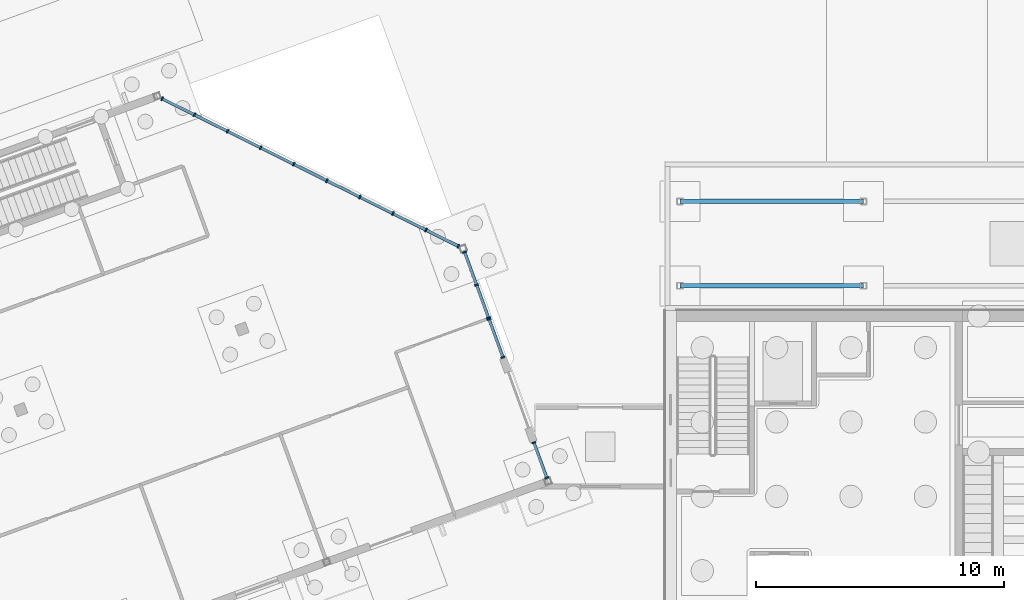
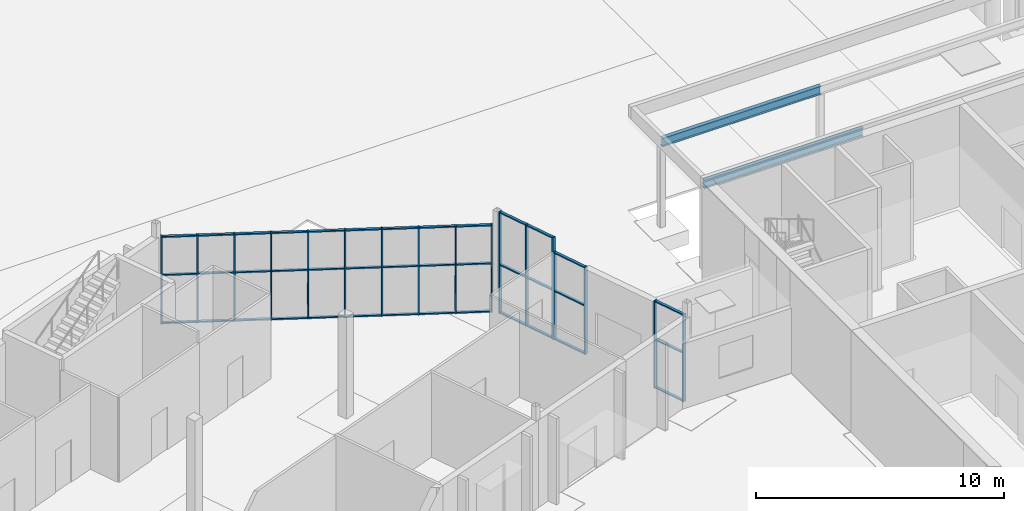
# One storey, part 33 of 157: 56 members, 2 beams, 4 elements without a shape of their own.
"""IFC4 building model written with IfcOpenShell, lengths in metres."""

from ifc_helpers import new_model, si_unit, direction, frame, origin, origin_2d, place, context, subcontext, project, spatial, rectangle, i_section, extrude, material, layer, layer_set, material_profile, profile_set, type_object, element, aggregate, save


model = new_model("IFC4")

# Units and contexts
model_context = context("Model", 3, precision=1e-05, world=origin(), true_north=direction((0.0, 1.0)))
body_context = subcontext(model_context, "Body", "Model", "MODEL_VIEW")
ifc_project = project(units=[si_unit("LENGTHUNIT", "METRE"), si_unit("AREAUNIT", "SQUARE_METRE"), si_unit("VOLUMEUNIT", "CUBIC_METRE"), si_unit("PLANEANGLEUNIT", "RADIAN"), si_unit("MASSUNIT", "GRAM", prefix="KILO")], contexts=[model_context])

# Site, building, storey
site_placement = place(None, origin())
site = spatial("IfcSite", under=ifc_project, at=site_placement, CompositionType="ELEMENT")
building_placement = place(site_placement, origin())
building = spatial("IfcBuilding", under=site, at=building_placement, Name="Windward Yard Aquatics Centre", CompositionType="ELEMENT")
storey_placement = place(building_placement, origin())
storey = spatial("IfcBuildingStorey", under=building, at=storey_placement, Name="L00", CompositionType="ELEMENT", Elevation=0.0)

# Beams
ifc_material_1 = material(Name="Steel ASTM A992 Gr 50", Category="steel")
ifc_material_profile_1 = material_profile(ifc_material_1, i_section(OverallWidth=0.180908203125, OverallDepth=0.4169921875, WebThickness=0.010986328125, FlangeThickness=0.018310546875, at=origin_2d()), Name="W410X85")
ifc_profile_set_1 = profile_set([ifc_material_profile_1], Name="Steel ASTM A992 Gr 50")
beam_type = type_object("IfcBeamType", Name="A beam W410X85", PredefinedType="BEAM", material=ifc_profile_set_1)
for number, where, z_axis, x_axis, name in (
    (1, (52.60009765625, 97.0, 4.1416015625), (1.0, 0.0, 0.0), (0.0, 1.0, 0.0), "A.B.1.1"),
    (2, (52.60009765625, 100.39990234375, 4.1416015625), (1.0, 0.0, 0.0), (0.0, 1.0, 0.0), "A.B.2.1"),
):
    element("IfcBeam", number, at=place(storey_placement, frame(where, z_axis=z_axis, x_axis=x_axis)), inside=storey, type_object=beam_type, Name=name, PredefinedType="BEAM", context=body_context, shape_type="SweptSolid", body=[
        extrude(i_section(OverallWidth=0.180908203125, OverallDepth=0.4169921875, WebThickness=0.010986328125, FlangeThickness=0.018310546875, at=origin_2d()), origin(), (0.0, 0.0, 1.0), 7.39990234375),
    ])

# Curtain wall, members
ifc_material_2 = material(Name="Aluminium, anodised", Category="aluminium")
ifc_layer = layer(ifc_material_2, 0.14990234375)
ifc_layer_set = layer_set([ifc_layer], Name="F curtain wall 150 aluminium")
curtain_wall_type = type_object("IfcCurtainWallType", Name="F curtain wall 150 aluminium", PredefinedType="NOTDEFINED", material=ifc_layer_set)
curtain_wall_1_placement = place(storey_placement, origin())
curtain_wall_1 = element("IfcCurtainWall", 3, at=curtain_wall_1_placement, inside=storey, type_object=curtain_wall_type, Name="Foyer glazing L00 1", PredefinedType="NOTDEFINED")
ifc_material_profile_2 = material_profile(ifc_material_2, rectangle(XDim=0.159912109375, YDim=0.06005859375, at=origin_2d()), Name="MULLION 60x160")
ifc_profile_set_2 = profile_set([ifc_material_profile_2], Name="Aluminium, anodised")
member_type_1 = type_object("IfcMemberType", Name="F mullion 60x160 aluminium", PredefinedType="MULLION", material=ifc_profile_set_2)
member_1_placement = place(storey_placement, frame((47.220703125, 89.2490234375, 0.0), z_axis=(0.0, 0.0, 1.0), x_axis=(-0.939689433969, -0.342028898906, 0.0)))
member_1 = element("IfcMember", 4, at=member_1_placement, type_object=member_type_1, Name="FCW1 mullion 1", PredefinedType="MULLION", context=body_context, shape_type="SweptSolid", body=[
    extrude(rectangle(XDim=0.159912109375, YDim=0.06005859375, at=origin_2d()), origin(), (0.0, 0.0, 1.0), 4.302978515625),
])
member_2_placement = place(storey_placement, frame((46.703125, 90.670654296875, 0.0), z_axis=(0.0, 0.0, 1.0), x_axis=(-0.939689433969, -0.342028898906, 0.0)))
member_2 = element("IfcMember", 5, at=member_2_placement, type_object=member_type_1, Name="FCW1 mullion 2", PredefinedType="MULLION", context=body_context, shape_type="SweptSolid", body=[
    extrude(rectangle(XDim=0.159912109375, YDim=0.06005859375, at=origin_2d()), origin(), (0.0, 0.0, 1.0), 4.302978515625),
])

curtain_wall_2_placement = place(storey_placement, origin())
curtain_wall_2 = element("IfcCurtainWall", 6, at=curtain_wall_2_placement, inside=storey, type_object=curtain_wall_type, Name="Foyer glazing L00 2", PredefinedType="NOTDEFINED")
member_3_placement = place(storey_placement, frame((45.451416015625, 94.110107421875, 0.0), z_axis=(0.0, 0.0, 1.0), x_axis=(-0.93968174032, -0.342050035681, 0.0)))
member_3 = element("IfcMember", 7, at=member_3_placement, type_object=member_type_1, Name="FCW2 mullion 1", PredefinedType="MULLION", context=body_context, shape_type="SweptSolid", body=[
    extrude(rectangle(XDim=0.159912109375, YDim=0.06005859375, at=origin_2d()), origin(), (0.0, 0.0, 1.0), 4.302978515625),
])
member_4_placement = place(storey_placement, frame((44.890380859375, 95.651123046875, 0.0), z_axis=(0.0, 0.0, 1.0), x_axis=(-0.93968174032, -0.342050035681, 0.0)))
member_4 = element("IfcMember", 8, at=member_4_placement, type_object=member_type_1, Name="FCW2 mullion 2", PredefinedType="MULLION", context=body_context, shape_type="SweptSolid", body=[
    extrude(rectangle(XDim=0.159912109375, YDim=0.06005859375, at=origin_2d()), origin(), (0.0, 0.0, 1.0), 4.302978515625),
])

curtain_wall_3_placement = place(storey_placement, origin())
curtain_wall_3 = element("IfcCurtainWall", 9, at=curtain_wall_3_placement, inside=storey, type_object=curtain_wall_type, Name="Foyer glazing L00 3", PredefinedType="NOTDEFINED")
member_5_placement = place(storey_placement, frame((44.869873046875, 95.70751953125, 0.0), z_axis=(0.0, 0.0, 1.0), x_axis=(-0.93969378885, -0.342016934078, 0.0)))
member_5 = element("IfcMember", 10, at=member_5_placement, type_object=member_type_1, Name="FCW3 mullion 1", PredefinedType="MULLION", context=body_context, shape_type="SweptSolid", body=[
    extrude(rectangle(XDim=0.159912109375, YDim=0.06005859375, at=origin_2d()), origin(), (0.0, 0.0, 1.0), 5.0),
])
member_6_placement = place(storey_placement, frame((44.388916015625, 97.029052734375, 0.0), z_axis=(0.0, 0.0, 1.0), x_axis=(-0.93969378885, -0.342016934078, 0.0)))
member_6 = element("IfcMember", 11, at=member_6_placement, type_object=member_type_1, Name="FCW3 mullion 2", PredefinedType="MULLION", context=body_context, shape_type="SweptSolid", body=[
    extrude(rectangle(XDim=0.159912109375, YDim=0.06005859375, at=origin_2d()), origin(), (0.0, 0.0, 1.0), 5.0),
])
member_7_placement = place(storey_placement, frame((43.907958984375, 98.350830078125, 0.0), z_axis=(0.0, 0.0, 1.0), x_axis=(-0.93969378885, -0.342016934078, 0.0)))
member_7 = element("IfcMember", 12, at=member_7_placement, type_object=member_type_1, Name="FCW3 mullion 3", PredefinedType="MULLION", context=body_context, shape_type="SweptSolid", body=[
    extrude(rectangle(XDim=0.159912109375, YDim=0.06005859375, at=origin_2d()), origin(), (0.0, 0.0, 1.0), 5.0),
])

curtain_wall_4_placement = place(storey_placement, origin())
curtain_wall_4 = element("IfcCurtainWall", 13, at=curtain_wall_4_placement, inside=storey, type_object=curtain_wall_type, Name="Foyer glazing L00 4", PredefinedType="NOTDEFINED")
member_8_placement = place(storey_placement, frame((43.6572265625, 98.596435546875, 0.0), z_axis=(0.0, 0.0, 1.0), x_axis=(-0.445706968105, -0.895178919872, 0.0)))
member_8 = element("IfcMember", 14, at=member_8_placement, type_object=member_type_1, Name="FCW4 mullion 1", PredefinedType="MULLION", context=body_context, shape_type="SweptSolid", body=[
    extrude(rectangle(XDim=0.159912109375, YDim=0.06005859375, at=origin_2d()), origin(), (0.0, 0.0, 1.0), 4.302978515625),
])
member_9_placement = place(storey_placement, frame((42.35009765625, 99.247314453125, 0.0), z_axis=(0.0, 0.0, 1.0), x_axis=(-0.445706968105, -0.895178919872, 0.0)))
member_9 = element("IfcMember", 15, at=member_9_placement, type_object=member_type_1, Name="FCW4 mullion 2", PredefinedType="MULLION", context=body_context, shape_type="SweptSolid", body=[
    extrude(rectangle(XDim=0.159912109375, YDim=0.06005859375, at=origin_2d()), origin(), (0.0, 0.0, 1.0), 4.302978515625),
])
member_10_placement = place(storey_placement, frame((41.015869140625, 99.91162109375, 0.0), z_axis=(0.0, 0.0, 1.0), x_axis=(-0.445706968105, -0.895178919872, 0.0)))
member_10 = element("IfcMember", 16, at=member_10_placement, type_object=member_type_1, Name="FCW4 mullion 3", PredefinedType="MULLION", context=body_context, shape_type="SweptSolid", body=[
    extrude(rectangle(XDim=0.159912109375, YDim=0.06005859375, at=origin_2d()), origin(), (0.0, 0.0, 1.0), 4.302978515625),
])
member_11_placement = place(storey_placement, frame((39.681640625, 100.575927734375, 0.0), z_axis=(0.0, 0.0, 1.0), x_axis=(-0.445706968105, -0.895178919872, 0.0)))
member_11 = element("IfcMember", 17, at=member_11_placement, type_object=member_type_1, Name="FCW4 mullion 4", PredefinedType="MULLION", context=body_context, shape_type="SweptSolid", body=[
    extrude(rectangle(XDim=0.159912109375, YDim=0.06005859375, at=origin_2d()), origin(), (0.0, 0.0, 1.0), 4.302978515625),
])
member_12_placement = place(storey_placement, frame((38.34765625, 101.240234375, 0.0), z_axis=(0.0, 0.0, 1.0), x_axis=(-0.445706968105, -0.895178919872, 0.0)))
member_12 = element("IfcMember", 18, at=member_12_placement, type_object=member_type_1, Name="FCW4 mullion 5", PredefinedType="MULLION", context=body_context, shape_type="SweptSolid", body=[
    extrude(rectangle(XDim=0.159912109375, YDim=0.06005859375, at=origin_2d()), origin(), (0.0, 0.0, 1.0), 4.302978515625),
])
member_13_placement = place(storey_placement, frame((37.013427734375, 101.904296875, 0.0), z_axis=(0.0, 0.0, 1.0), x_axis=(-0.445706968105, -0.895178919872, 0.0)))
member_13 = element("IfcMember", 19, at=member_13_placement, type_object=member_type_1, Name="FCW4 mullion 6", PredefinedType="MULLION", context=body_context, shape_type="SweptSolid", body=[
    extrude(rectangle(XDim=0.159912109375, YDim=0.06005859375, at=origin_2d()), origin(), (0.0, 0.0, 1.0), 4.302978515625),
])
member_14_placement = place(storey_placement, frame((35.679443359375, 102.568603515625, 0.0), z_axis=(0.0, 0.0, 1.0), x_axis=(-0.445706968105, -0.895178919872, 0.0)))
member_14 = element("IfcMember", 20, at=member_14_placement, type_object=member_type_1, Name="FCW4 mullion 7", PredefinedType="MULLION", context=body_context, shape_type="SweptSolid", body=[
    extrude(rectangle(XDim=0.159912109375, YDim=0.06005859375, at=origin_2d()), origin(), (0.0, 0.0, 1.0), 4.302978515625),
])
member_15_placement = place(storey_placement, frame((34.34521484375, 103.23291015625, 0.0), z_axis=(0.0, 0.0, 1.0), x_axis=(-0.445706968105, -0.895178919872, 0.0)))
member_15 = element("IfcMember", 21, at=member_15_placement, type_object=member_type_1, Name="FCW4 mullion 8", PredefinedType="MULLION", context=body_context, shape_type="SweptSolid", body=[
    extrude(rectangle(XDim=0.159912109375, YDim=0.06005859375, at=origin_2d()), origin(), (0.0, 0.0, 1.0), 4.302978515625),
])
member_16_placement = place(storey_placement, frame((33.01123046875, 103.897216796875, 0.0), z_axis=(0.0, 0.0, 1.0), x_axis=(-0.445706968105, -0.895178919872, 0.0)))
member_16 = element("IfcMember", 22, at=member_16_placement, type_object=member_type_1, Name="FCW4 mullion 9", PredefinedType="MULLION", context=body_context, shape_type="SweptSolid", body=[
    extrude(rectangle(XDim=0.159912109375, YDim=0.06005859375, at=origin_2d()), origin(), (0.0, 0.0, 1.0), 4.302978515625),
])
member_17_placement = place(storey_placement, frame((31.703857421875, 104.548095703125, 0.0), z_axis=(0.0, 0.0, 1.0), x_axis=(-0.445706968105, -0.895178919872, 0.0)))
member_17 = element("IfcMember", 23, at=member_17_placement, type_object=member_type_1, Name="FCW4 mullion 10", PredefinedType="MULLION", context=body_context, shape_type="SweptSolid", body=[
    extrude(rectangle(XDim=0.159912109375, YDim=0.06005859375, at=origin_2d()), origin(), (0.0, 0.0, 1.0), 4.302978515625),
])

# Member
ifc_material_profile_3 = material_profile(ifc_material_2, rectangle(XDim=0.1201171875, YDim=0.06005859375, at=origin_2d()), Name="TRANSOM 60x120")
ifc_profile_set_3 = profile_set([ifc_material_profile_3], Name="Aluminium, anodised")
member_type_2 = type_object("IfcMemberType", Name="F transom 60x120 aluminium", PredefinedType="USERDEFINED", material=ifc_profile_set_3)
member_18_placement = place(storey_placement, frame((47.21044921875, 89.277099609375, 0.030029296875), z_axis=(-0.342066797826, 0.939675638625, 0.0), x_axis=(-0.939675638625, -0.342066797826, 0.0)))
member_18 = element("IfcMember", 24, at=member_18_placement, type_object=member_type_2, Name="FCW1 transom 1.1", ObjectType="TRANSOM", PredefinedType="USERDEFINED", context=body_context, shape_type="SweptSolid", body=[
    extrude(rectangle(XDim=0.1201171875, YDim=0.06005859375, at=origin_2d()), origin(), (0.0, 0.0, 1.0), 1.453125),
])

member_19_placement = place(storey_placement, frame((47.21044921875, 89.277099609375, 2.39990234375), z_axis=(-0.342066797826, 0.939675638625, 0.0), x_axis=(-0.939675638625, -0.342066797826, 0.0)))
member_19 = element("IfcMember", 25, at=member_19_placement, type_object=member_type_2, Name="FCW1 transom 1.2", ObjectType="TRANSOM", PredefinedType="USERDEFINED", context=body_context, shape_type="SweptSolid", body=[
    extrude(rectangle(XDim=0.1201171875, YDim=0.06005859375, at=origin_2d()), origin(), (0.0, 0.0, 1.0), 1.453125),
])

member_20_placement = place(storey_placement, frame((47.21044921875, 89.277099609375, 4.27294921875), z_axis=(-0.342066797826, 0.939675638625, 0.0), x_axis=(-0.939675638625, -0.342066797826, 0.0)))
member_20 = element("IfcMember", 26, at=member_20_placement, type_object=member_type_2, Name="FCW1 transom 1.3", ObjectType="TRANSOM", PredefinedType="USERDEFINED", context=body_context, shape_type="SweptSolid", body=[
    extrude(rectangle(XDim=0.1201171875, YDim=0.06005859375, at=origin_2d()), origin(), (0.0, 0.0, 1.0), 1.453125),
])

aggregate(curtain_wall_1, [member_1, member_2, member_18, member_19, member_20])

member_21_placement = place(storey_placement, frame((45.441162109375, 94.13818359375, 0.030029296875), z_axis=(-0.342115246411, 0.939658000643, 0.0), x_axis=(-0.939658000643, -0.342115246411, 0.0)))
member_21 = element("IfcMember", 27, at=member_21_placement, type_object=member_type_2, Name="FCW2 transom 1.1", ObjectType="TRANSOM", PredefinedType="USERDEFINED", context=body_context, shape_type="SweptSolid", body=[
    extrude(rectangle(XDim=0.1201171875, YDim=0.06005859375, at=origin_2d()), origin(), (0.0, 0.0, 1.0), 1.580078125),
])

member_22_placement = place(storey_placement, frame((45.441162109375, 94.13818359375, 2.39990234375), z_axis=(-0.342115246411, 0.939658000643, 0.0), x_axis=(-0.939658000643, -0.342115246411, 0.0)))
member_22 = element("IfcMember", 28, at=member_22_placement, type_object=member_type_2, Name="FCW2 transom 1.2", ObjectType="TRANSOM", PredefinedType="USERDEFINED", context=body_context, shape_type="SweptSolid", body=[
    extrude(rectangle(XDim=0.1201171875, YDim=0.06005859375, at=origin_2d()), origin(), (0.0, 0.0, 1.0), 1.580078125),
])

member_23_placement = place(storey_placement, frame((45.441162109375, 94.13818359375, 4.27294921875), z_axis=(-0.342115246411, 0.939658000643, 0.0), x_axis=(-0.939658000643, -0.342115246411, 0.0)))
member_23 = element("IfcMember", 29, at=member_23_placement, type_object=member_type_2, Name="FCW2 transom 1.3", ObjectType="TRANSOM", PredefinedType="USERDEFINED", context=body_context, shape_type="SweptSolid", body=[
    extrude(rectangle(XDim=0.1201171875, YDim=0.06005859375, at=origin_2d()), origin(), (0.0, 0.0, 1.0), 1.580078125),
])

aggregate(curtain_wall_2, [member_3, member_4, member_21, member_22, member_23])

member_24_placement = place(storey_placement, frame((44.859619140625, 95.735595703125, 0.030029296875), z_axis=(-0.341946861108, 0.939719290096, 0.0), x_axis=(-0.939719290096, -0.341946861108, 0.0)))
member_24 = element("IfcMember", 30, at=member_24_placement, type_object=member_type_2, Name="FCW3 transom 1.1", ObjectType="TRANSOM", PredefinedType="USERDEFINED", context=body_context, shape_type="SweptSolid", body=[
    extrude(rectangle(XDim=0.1201171875, YDim=0.06005859375, at=origin_2d()), origin(), (0.0, 0.0, 1.0), 1.346435546875),
])

member_25_placement = place(storey_placement, frame((44.859619140625, 95.735595703125, 2.39990234375), z_axis=(-0.341946861108, 0.939719290096, 0.0), x_axis=(-0.939719290096, -0.341946861108, 0.0)))
member_25 = element("IfcMember", 31, at=member_25_placement, type_object=member_type_2, Name="FCW3 transom 1.2", ObjectType="TRANSOM", PredefinedType="USERDEFINED", context=body_context, shape_type="SweptSolid", body=[
    extrude(rectangle(XDim=0.1201171875, YDim=0.06005859375, at=origin_2d()), origin(), (0.0, 0.0, 1.0), 1.346435546875),
])

member_26_placement = place(storey_placement, frame((44.859619140625, 95.735595703125, 4.969970703125), z_axis=(-0.341946861108, 0.939719290096, 0.0), x_axis=(-0.939719290096, -0.341946861108, 0.0)))
member_26 = element("IfcMember", 32, at=member_26_placement, type_object=member_type_2, Name="FCW3 transom 1.3", ObjectType="TRANSOM", PredefinedType="USERDEFINED", context=body_context, shape_type="SweptSolid", body=[
    extrude(rectangle(XDim=0.1201171875, YDim=0.06005859375, at=origin_2d()), origin(), (0.0, 0.0, 1.0), 1.346435546875),
])

member_27_placement = place(storey_placement, frame((44.378662109375, 97.057373046875, 0.030029296875), z_axis=(-0.34200513081, 0.939698084759, 0.0), x_axis=(-0.939698084759, -0.34200513081, 0.0)))
member_27 = element("IfcMember", 33, at=member_27_placement, type_object=member_type_2, Name="FCW3 transom 2.1", ObjectType="TRANSOM", PredefinedType="USERDEFINED", context=body_context, shape_type="SweptSolid", body=[
    extrude(rectangle(XDim=0.1201171875, YDim=0.06005859375, at=origin_2d()), origin(), (0.0, 0.0, 1.0), 1.346435546875),
])

member_28_placement = place(storey_placement, frame((44.378662109375, 97.057373046875, 2.39990234375), z_axis=(-0.34200513081, 0.939698084759, 0.0), x_axis=(-0.939698084759, -0.34200513081, 0.0)))
member_28 = element("IfcMember", 34, at=member_28_placement, type_object=member_type_2, Name="FCW3 transom 2.2", ObjectType="TRANSOM", PredefinedType="USERDEFINED", context=body_context, shape_type="SweptSolid", body=[
    extrude(rectangle(XDim=0.1201171875, YDim=0.06005859375, at=origin_2d()), origin(), (0.0, 0.0, 1.0), 1.346435546875),
])

member_29_placement = place(storey_placement, frame((44.378662109375, 97.057373046875, 4.969970703125), z_axis=(-0.34200513081, 0.939698084759, 0.0), x_axis=(-0.939698084759, -0.34200513081, 0.0)))
member_29 = element("IfcMember", 35, at=member_29_placement, type_object=member_type_2, Name="FCW3 transom 2.3", ObjectType="TRANSOM", PredefinedType="USERDEFINED", context=body_context, shape_type="SweptSolid", body=[
    extrude(rectangle(XDim=0.1201171875, YDim=0.06005859375, at=origin_2d()), origin(), (0.0, 0.0, 1.0), 1.346435546875),
])

aggregate(curtain_wall_3, [member_5, member_6, member_7, member_24, member_25, member_26, member_27, member_28, member_29])

member_30_placement = place(storey_placement, frame((43.63037109375, 98.60986328125, 0.030029296875), z_axis=(-0.895193083549, 0.445678519975, 0.0), x_axis=(-0.445678519975, -0.895193083549, 0.0)))
member_30 = element("IfcMember", 36, at=member_30_placement, type_object=member_type_2, Name="FCW4 transom 1.1", ObjectType="TRANSOM", PredefinedType="USERDEFINED", context=body_context, shape_type="SweptSolid", body=[
    extrude(rectangle(XDim=0.1201171875, YDim=0.06005859375, at=origin_2d()), origin(), (0.0, 0.0, 1.0), 1.400146484375),
])

member_31_placement = place(storey_placement, frame((43.63037109375, 98.60986328125, 2.39990234375), z_axis=(-0.895193083549, 0.445678519975, 0.0), x_axis=(-0.445678519975, -0.895193083549, 0.0)))
member_31 = element("IfcMember", 37, at=member_31_placement, type_object=member_type_2, Name="FCW4 transom 1.2", ObjectType="TRANSOM", PredefinedType="USERDEFINED", context=body_context, shape_type="SweptSolid", body=[
    extrude(rectangle(XDim=0.1201171875, YDim=0.06005859375, at=origin_2d()), origin(), (0.0, 0.0, 1.0), 1.400146484375),
])

member_32_placement = place(storey_placement, frame((43.63037109375, 98.60986328125, 4.27294921875), z_axis=(-0.895193083549, 0.445678519975, 0.0), x_axis=(-0.445678519975, -0.895193083549, 0.0)))
member_32 = element("IfcMember", 38, at=member_32_placement, type_object=member_type_2, Name="FCW4 transom 1.3", ObjectType="TRANSOM", PredefinedType="USERDEFINED", context=body_context, shape_type="SweptSolid", body=[
    extrude(rectangle(XDim=0.1201171875, YDim=0.06005859375, at=origin_2d()), origin(), (0.0, 0.0, 1.0), 1.400146484375),
])

member_33_placement = place(storey_placement, frame((42.3232421875, 99.2607421875, 0.030029296875), z_axis=(-0.895210935678, 0.445642660258, 0.0), x_axis=(-0.445642660258, -0.895210935678, 0.0)))
member_33 = element("IfcMember", 39, at=member_33_placement, type_object=member_type_2, Name="FCW4 transom 2.1", ObjectType="TRANSOM", PredefinedType="USERDEFINED", context=body_context, shape_type="SweptSolid", body=[
    extrude(rectangle(XDim=0.1201171875, YDim=0.06005859375, at=origin_2d()), origin(), (0.0, 0.0, 1.0), 1.430419921875),
])

member_34_placement = place(storey_placement, frame((42.3232421875, 99.2607421875, 2.39990234375), z_axis=(-0.895210935678, 0.445642660258, 0.0), x_axis=(-0.445642660258, -0.895210935678, 0.0)))
member_34 = element("IfcMember", 40, at=member_34_placement, type_object=member_type_2, Name="FCW4 transom 2.2", ObjectType="TRANSOM", PredefinedType="USERDEFINED", context=body_context, shape_type="SweptSolid", body=[
    extrude(rectangle(XDim=0.1201171875, YDim=0.06005859375, at=origin_2d()), origin(), (0.0, 0.0, 1.0), 1.430419921875),
])

member_35_placement = place(storey_placement, frame((42.3232421875, 99.2607421875, 4.27294921875), z_axis=(-0.895210935678, 0.445642660258, 0.0), x_axis=(-0.445642660258, -0.895210935678, 0.0)))
member_35 = element("IfcMember", 41, at=member_35_placement, type_object=member_type_2, Name="FCW4 transom 2.3", ObjectType="TRANSOM", PredefinedType="USERDEFINED", context=body_context, shape_type="SweptSolid", body=[
    extrude(rectangle(XDim=0.1201171875, YDim=0.06005859375, at=origin_2d()), origin(), (0.0, 0.0, 1.0), 1.430419921875),
])

member_36_placement = place(storey_placement, frame((40.989013671875, 99.925048828125, 0.030029296875), z_axis=(-0.895210935678, 0.445642660258, 0.0), x_axis=(-0.445642660258, -0.895210935678, 0.0)))
member_36 = element("IfcMember", 42, at=member_36_placement, type_object=member_type_2, Name="FCW4 transom 3.1", ObjectType="TRANSOM", PredefinedType="USERDEFINED", context=body_context, shape_type="SweptSolid", body=[
    extrude(rectangle(XDim=0.1201171875, YDim=0.06005859375, at=origin_2d()), origin(), (0.0, 0.0, 1.0), 1.430419921875),
])

member_37_placement = place(storey_placement, frame((40.989013671875, 99.925048828125, 2.39990234375), z_axis=(-0.895210935678, 0.445642660258, 0.0), x_axis=(-0.445642660258, -0.895210935678, 0.0)))
member_37 = element("IfcMember", 43, at=member_37_placement, type_object=member_type_2, Name="FCW4 transom 3.2", ObjectType="TRANSOM", PredefinedType="USERDEFINED", context=body_context, shape_type="SweptSolid", body=[
    extrude(rectangle(XDim=0.1201171875, YDim=0.06005859375, at=origin_2d()), origin(), (0.0, 0.0, 1.0), 1.430419921875),
])

member_38_placement = place(storey_placement, frame((40.989013671875, 99.925048828125, 4.27294921875), z_axis=(-0.895210935678, 0.445642660258, 0.0), x_axis=(-0.445642660258, -0.895210935678, 0.0)))
member_38 = element("IfcMember", 44, at=member_38_placement, type_object=member_type_2, Name="FCW4 transom 3.3", ObjectType="TRANSOM", PredefinedType="USERDEFINED", context=body_context, shape_type="SweptSolid", body=[
    extrude(rectangle(XDim=0.1201171875, YDim=0.06005859375, at=origin_2d()), origin(), (0.0, 0.0, 1.0), 1.430419921875),
])

member_39_placement = place(storey_placement, frame((39.65478515625, 100.58935546875, 0.030029296875), z_axis=(-0.895177031521, 0.445710760737, 0.0), x_axis=(-0.445710760737, -0.895177031521, 0.0)))
member_39 = element("IfcMember", 45, at=member_39_placement, type_object=member_type_2, Name="FCW4 transom 4.1", ObjectType="TRANSOM", PredefinedType="USERDEFINED", context=body_context, shape_type="SweptSolid", body=[
    extrude(rectangle(XDim=0.1201171875, YDim=0.06005859375, at=origin_2d()), origin(), (0.0, 0.0, 1.0), 1.43017578125),
])

member_40_placement = place(storey_placement, frame((39.65478515625, 100.58935546875, 2.39990234375), z_axis=(-0.895177031521, 0.445710760737, 0.0), x_axis=(-0.445710760737, -0.895177031521, 0.0)))
member_40 = element("IfcMember", 46, at=member_40_placement, type_object=member_type_2, Name="FCW4 transom 4.2", ObjectType="TRANSOM", PredefinedType="USERDEFINED", context=body_context, shape_type="SweptSolid", body=[
    extrude(rectangle(XDim=0.1201171875, YDim=0.06005859375, at=origin_2d()), origin(), (0.0, 0.0, 1.0), 1.43017578125),
])

member_41_placement = place(storey_placement, frame((39.65478515625, 100.58935546875, 4.27294921875), z_axis=(-0.895177031521, 0.445710760737, 0.0), x_axis=(-0.445710760737, -0.895177031521, 0.0)))
member_41 = element("IfcMember", 47, at=member_41_placement, type_object=member_type_2, Name="FCW4 transom 4.3", ObjectType="TRANSOM", PredefinedType="USERDEFINED", context=body_context, shape_type="SweptSolid", body=[
    extrude(rectangle(XDim=0.1201171875, YDim=0.06005859375, at=origin_2d()), origin(), (0.0, 0.0, 1.0), 1.43017578125),
])

member_42_placement = place(storey_placement, frame((38.32080078125, 101.25341796875, 0.030029296875), z_axis=(-0.895142839047, 0.445779427186, 0.0), x_axis=(-0.445779427186, -0.895142839047, 0.0)))
member_42 = element("IfcMember", 48, at=member_42_placement, type_object=member_type_2, Name="FCW4 transom 5.1", ObjectType="TRANSOM", PredefinedType="USERDEFINED", context=body_context, shape_type="SweptSolid", body=[
    extrude(rectangle(XDim=0.1201171875, YDim=0.06005859375, at=origin_2d()), origin(), (0.0, 0.0, 1.0), 1.430419921875),
])

member_43_placement = place(storey_placement, frame((38.32080078125, 101.25341796875, 2.39990234375), z_axis=(-0.895142839047, 0.445779427186, 0.0), x_axis=(-0.445779427186, -0.895142839047, 0.0)))
member_43 = element("IfcMember", 49, at=member_43_placement, type_object=member_type_2, Name="FCW4 transom 5.2", ObjectType="TRANSOM", PredefinedType="USERDEFINED", context=body_context, shape_type="SweptSolid", body=[
    extrude(rectangle(XDim=0.1201171875, YDim=0.06005859375, at=origin_2d()), origin(), (0.0, 0.0, 1.0), 1.430419921875),
])

member_44_placement = place(storey_placement, frame((38.32080078125, 101.25341796875, 4.27294921875), z_axis=(-0.895142839047, 0.445779427186, 0.0), x_axis=(-0.445779427186, -0.895142839047, 0.0)))
member_44 = element("IfcMember", 50, at=member_44_placement, type_object=member_type_2, Name="FCW4 transom 5.3", ObjectType="TRANSOM", PredefinedType="USERDEFINED", context=body_context, shape_type="SweptSolid", body=[
    extrude(rectangle(XDim=0.1201171875, YDim=0.06005859375, at=origin_2d()), origin(), (0.0, 0.0, 1.0), 1.430419921875),
])

member_45_placement = place(storey_placement, frame((36.986572265625, 101.917724609375, 0.030029296875), z_axis=(-0.895177031521, 0.445710760737, 0.0), x_axis=(-0.445710760737, -0.895177031521, 0.0)))
member_45 = element("IfcMember", 51, at=member_45_placement, type_object=member_type_2, Name="FCW4 transom 6.1", ObjectType="TRANSOM", PredefinedType="USERDEFINED", context=body_context, shape_type="SweptSolid", body=[
    extrude(rectangle(XDim=0.1201171875, YDim=0.06005859375, at=origin_2d()), origin(), (0.0, 0.0, 1.0), 1.43017578125),
])

member_46_placement = place(storey_placement, frame((36.986572265625, 101.917724609375, 2.39990234375), z_axis=(-0.895177031521, 0.445710760737, 0.0), x_axis=(-0.445710760737, -0.895177031521, 0.0)))
member_46 = element("IfcMember", 52, at=member_46_placement, type_object=member_type_2, Name="FCW4 transom 6.2", ObjectType="TRANSOM", PredefinedType="USERDEFINED", context=body_context, shape_type="SweptSolid", body=[
    extrude(rectangle(XDim=0.1201171875, YDim=0.06005859375, at=origin_2d()), origin(), (0.0, 0.0, 1.0), 1.43017578125),
])

member_47_placement = place(storey_placement, frame((36.986572265625, 101.917724609375, 4.27294921875), z_axis=(-0.895177031521, 0.445710760737, 0.0), x_axis=(-0.445710760737, -0.895177031521, 0.0)))
member_47 = element("IfcMember", 53, at=member_47_placement, type_object=member_type_2, Name="FCW4 transom 6.3", ObjectType="TRANSOM", PredefinedType="USERDEFINED", context=body_context, shape_type="SweptSolid", body=[
    extrude(rectangle(XDim=0.1201171875, YDim=0.06005859375, at=origin_2d()), origin(), (0.0, 0.0, 1.0), 1.43017578125),
])

member_48_placement = place(storey_placement, frame((35.652587890625, 102.58203125, 0.030029296875), z_axis=(-0.895210935678, 0.445642660258, 0.0), x_axis=(-0.445642660258, -0.895210935678, 0.0)))
member_48 = element("IfcMember", 54, at=member_48_placement, type_object=member_type_2, Name="FCW4 transom 7.1", ObjectType="TRANSOM", PredefinedType="USERDEFINED", context=body_context, shape_type="SweptSolid", body=[
    extrude(rectangle(XDim=0.1201171875, YDim=0.06005859375, at=origin_2d()), origin(), (0.0, 0.0, 1.0), 1.430419921875),
])

member_49_placement = place(storey_placement, frame((35.652587890625, 102.58203125, 2.39990234375), z_axis=(-0.895210935678, 0.445642660258, 0.0), x_axis=(-0.445642660258, -0.895210935678, 0.0)))
member_49 = element("IfcMember", 55, at=member_49_placement, type_object=member_type_2, Name="FCW4 transom 7.2", ObjectType="TRANSOM", PredefinedType="USERDEFINED", context=body_context, shape_type="SweptSolid", body=[
    extrude(rectangle(XDim=0.1201171875, YDim=0.06005859375, at=origin_2d()), origin(), (0.0, 0.0, 1.0), 1.430419921875),
])

member_50_placement = place(storey_placement, frame((35.652587890625, 102.58203125, 4.27294921875), z_axis=(-0.895210935678, 0.445642660258, 0.0), x_axis=(-0.445642660258, -0.895210935678, 0.0)))
member_50 = element("IfcMember", 56, at=member_50_placement, type_object=member_type_2, Name="FCW4 transom 7.3", ObjectType="TRANSOM", PredefinedType="USERDEFINED", context=body_context, shape_type="SweptSolid", body=[
    extrude(rectangle(XDim=0.1201171875, YDim=0.06005859375, at=origin_2d()), origin(), (0.0, 0.0, 1.0), 1.430419921875),
])

member_51_placement = place(storey_placement, frame((34.318359375, 103.246337890625, 0.030029296875), z_axis=(-0.895177031521, 0.445710760737, 0.0), x_axis=(-0.445710760737, -0.895177031521, 0.0)))
member_51 = element("IfcMember", 57, at=member_51_placement, type_object=member_type_2, Name="FCW4 transom 8.1", ObjectType="TRANSOM", PredefinedType="USERDEFINED", context=body_context, shape_type="SweptSolid", body=[
    extrude(rectangle(XDim=0.1201171875, YDim=0.06005859375, at=origin_2d()), origin(), (0.0, 0.0, 1.0), 1.43017578125),
])

member_52_placement = place(storey_placement, frame((34.318359375, 103.246337890625, 2.39990234375), z_axis=(-0.895177031521, 0.445710760737, 0.0), x_axis=(-0.445710760737, -0.895177031521, 0.0)))
member_52 = element("IfcMember", 58, at=member_52_placement, type_object=member_type_2, Name="FCW4 transom 8.2", ObjectType="TRANSOM", PredefinedType="USERDEFINED", context=body_context, shape_type="SweptSolid", body=[
    extrude(rectangle(XDim=0.1201171875, YDim=0.06005859375, at=origin_2d()), origin(), (0.0, 0.0, 1.0), 1.43017578125),
])

member_53_placement = place(storey_placement, frame((34.318359375, 103.246337890625, 4.27294921875), z_axis=(-0.895177031521, 0.445710760737, 0.0), x_axis=(-0.445710760737, -0.895177031521, 0.0)))
member_53 = element("IfcMember", 59, at=member_53_placement, type_object=member_type_2, Name="FCW4 transom 8.3", ObjectType="TRANSOM", PredefinedType="USERDEFINED", context=body_context, shape_type="SweptSolid", body=[
    extrude(rectangle(XDim=0.1201171875, YDim=0.06005859375, at=origin_2d()), origin(), (0.0, 0.0, 1.0), 1.43017578125),
])

member_54_placement = place(storey_placement, frame((32.984375, 103.910400390625, 0.030029296875), z_axis=(-0.895158156734, 0.445748667336, 0.0), x_axis=(-0.445748667336, -0.895158156734, 0.0)))
member_54 = element("IfcMember", 60, at=member_54_placement, type_object=member_type_2, Name="FCW4 transom 9.1", ObjectType="TRANSOM", PredefinedType="USERDEFINED", context=body_context, shape_type="SweptSolid", body=[
    extrude(rectangle(XDim=0.1201171875, YDim=0.06005859375, at=origin_2d()), origin(), (0.0, 0.0, 1.0), 1.400390625),
])

member_55_placement = place(storey_placement, frame((32.984375, 103.910400390625, 2.39990234375), z_axis=(-0.895158156734, 0.445748667336, 0.0), x_axis=(-0.445748667336, -0.895158156734, 0.0)))
member_55 = element("IfcMember", 61, at=member_55_placement, type_object=member_type_2, Name="FCW4 transom 9.2", ObjectType="TRANSOM", PredefinedType="USERDEFINED", context=body_context, shape_type="SweptSolid", body=[
    extrude(rectangle(XDim=0.1201171875, YDim=0.06005859375, at=origin_2d()), origin(), (0.0, 0.0, 1.0), 1.400390625),
])

member_56_placement = place(storey_placement, frame((32.984375, 103.910400390625, 4.27294921875), z_axis=(-0.895158156734, 0.445748667336, 0.0), x_axis=(-0.445748667336, -0.895158156734, 0.0)))
member_56 = element("IfcMember", 62, at=member_56_placement, type_object=member_type_2, Name="FCW4 transom 9.3", ObjectType="TRANSOM", PredefinedType="USERDEFINED", context=body_context, shape_type="SweptSolid", body=[
    extrude(rectangle(XDim=0.1201171875, YDim=0.06005859375, at=origin_2d()), origin(), (0.0, 0.0, 1.0), 1.400390625),
])

aggregate(curtain_wall_4, [member_8, member_9, member_10, member_11, member_12, member_13, member_14, member_15, member_16, member_17, member_30, member_31, member_32, member_33, member_34, member_35, member_36, member_37, member_38, member_39, member_40, member_41, member_42, member_43, member_44, member_45, member_46, member_47, member_48, member_49, member_50, member_51, member_52, member_53, member_54, member_55, member_56])

save(model, "model.ifc")
